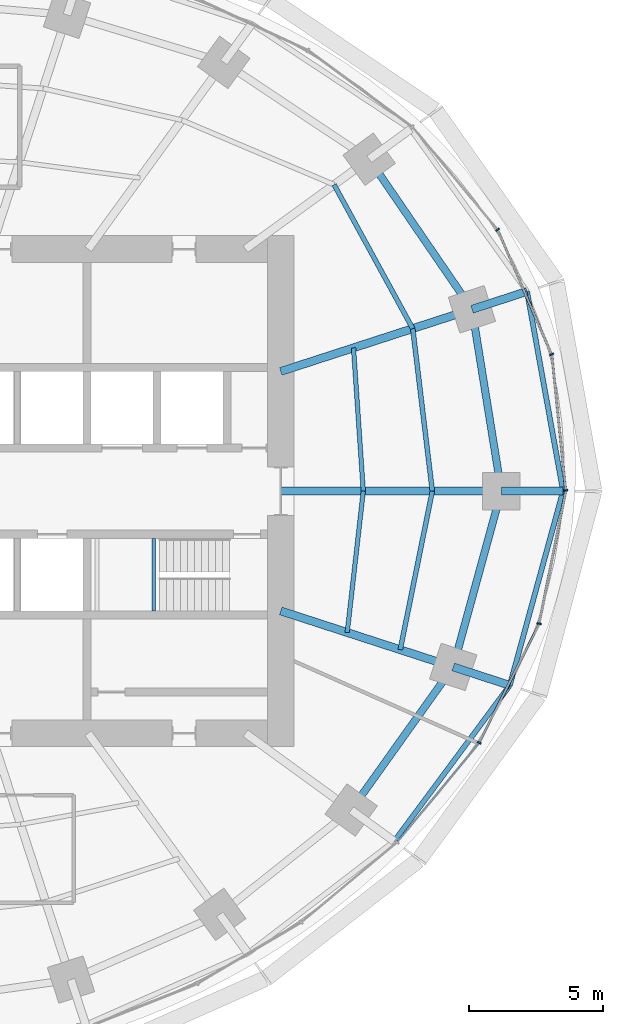
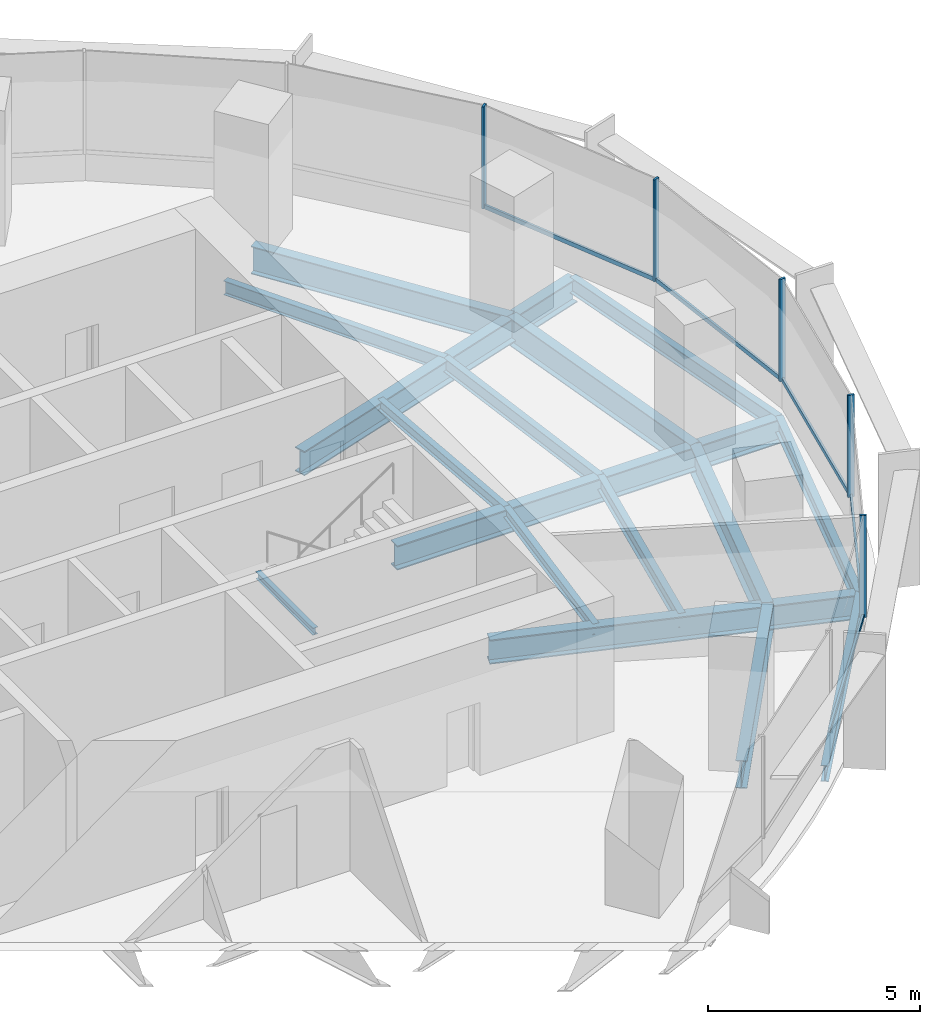
# One storey, part 6 of 14: 19 beams, 10 members, 2 elements without a shape of their own.
"""IFC4 building model written with IfcOpenShell, lengths in metres."""

from ifc_helpers import new_model, si_unit, direction, frame, origin, origin_2d, place, context, subcontext, project, spatial, rectangle, i_section, extrude, material, material_profile, profile_set, type_object, element, aggregate, save


model = new_model("IFC4")

# Units and contexts
model_context = context("Model", 3, precision=1e-05, world=origin(), true_north=direction((0.0, 1.0)))
body_context = subcontext(model_context, "Body", "Model", "MODEL_VIEW")
ifc_project = project(units=[si_unit("LENGTHUNIT", "METRE"), si_unit("AREAUNIT", "SQUARE_METRE"), si_unit("VOLUMEUNIT", "CUBIC_METRE"), si_unit("PLANEANGLEUNIT", "RADIAN"), si_unit("MASSUNIT", "GRAM", prefix="KILO")], contexts=[model_context])

# Site, building, storey
site_placement = place(None, origin())
site = spatial("IfcSite", under=ifc_project, at=site_placement, CompositionType="ELEMENT")
building_placement = place(site_placement, origin())
building = spatial("IfcBuilding", under=site, at=building_placement, Name="Marramba Exchange Tower", CompositionType="ELEMENT")
storey_placement = place(building_placement, frame((0.0, 0.0, 218.89990234375)))
storey = spatial("IfcBuildingStorey", under=building, at=storey_placement, Name="L53", CompositionType="ELEMENT", Elevation=218.89990234375)

# Beams
ifc_material_1 = material(Name="Steel AS/NZS 3679.2 grade 300", Category="steel")
ifc_material_profile_1 = material_profile(ifc_material_1, i_section(OverallWidth=0.300048828125, OverallDepth=0.699951171875, WebThickness=0.010009765625, FlangeThickness=0.031982421875, at=origin_2d()), Name="700WB173")
ifc_profile_set_1 = profile_set([ifc_material_profile_1], Name="Steel AS/NZS 3679.2 grade 300")
beam_type_1 = type_object("IfcBeamType", Name="Cantilever girder 700WB173", PredefinedType="BEAM", material=ifc_profile_set_1)
beam_1_placement = place(storey_placement, frame((21.89990234375, 0.0, -0.510009765625), z_axis=(1.0, 0.0, 0.0), x_axis=(0.0, 1.0, 0.0)))
element("IfcBeam", 1, at=beam_1_placement, inside=storey, type_object=beam_type_1, Name="Cantilever girder L53 TC01", PredefinedType="BEAM", context=body_context, shape_type="SweptSolid", body=[
    extrude(i_section(OverallWidth=0.300048828125, OverallDepth=0.699951171875, WebThickness=0.010009765625, FlangeThickness=0.031982421875, at=origin_2d()), origin(), (0.0, 0.0, 1.0), 2.294189453125),
])
beam_2_placement = place(storey_placement, frame((20.808349609375, 6.760986328125, -0.510009765625), z_axis=(0.951051587859, 0.309032162129, 0.0), x_axis=(-0.309032162129, 0.951051587859, 0.0)))
element("IfcBeam", 2, at=beam_2_placement, inside=storey, type_object=beam_type_1, Name="Cantilever girder L53 TC02", PredefinedType="BEAM", context=body_context, shape_type="SweptSolid", body=[
    extrude(i_section(OverallWidth=0.300048828125, OverallDepth=0.699951171875, WebThickness=0.010009765625, FlangeThickness=0.031982421875, at=origin_2d()), origin(), (0.0, 0.0, 1.0), 2.150390625),
])
beam_3_placement = place(storey_placement, frame((20.109375, -6.533935546875, -0.510009765625), z_axis=(0.951050283347, -0.309036176758, 0.0), x_axis=(0.309036176758, 0.951050283347, 0.0)))
element("IfcBeam", 3, at=beam_3_placement, inside=storey, type_object=beam_type_1, Name="Cantilever girder L53 TC20", PredefinedType="BEAM", context=body_context, shape_type="SweptSolid", body=[
    extrude(i_section(OverallWidth=0.300048828125, OverallDepth=0.699951171875, WebThickness=0.010009765625, FlangeThickness=0.031982421875, at=origin_2d()), origin(), (0.0, 0.0, 1.0), 2.212890625),
])
ifc_material_2 = material(Name="Steel AS/NZS 3679.1 grade 300", Category="steel")
ifc_material_profile_2 = material_profile(ifc_material_2, i_section(OverallWidth=0.166015625, OverallDepth=0.306884765625, WebThickness=0.006591796875, FlangeThickness=0.01171875, FilletRadius=0.011474609375, at=origin_2d()), Name="310UB46.2")
ifc_profile_set_2 = profile_set([ifc_material_profile_2], Name="Steel AS/NZS 3679.1 grade 300")
beam_type_2 = type_object("IfcBeamType", Name="Floor joist 310UB46.2", PredefinedType="JOIST", material=ifc_profile_set_2)
beam_4_placement = place(storey_placement, frame((16.7666015625, 0.0, -0.3134765625), z_axis=(-0.068096259546, 0.99767875563, 0.0), x_axis=(-0.99767875563, -0.068096259546, 0.0)))
element("IfcBeam", 4, at=beam_4_placement, inside=storey, type_object=beam_type_2, Name="Joist L53 bay 01 row 1", PredefinedType="JOIST", context=body_context, shape_type="SweptSolid", body=[
    extrude(i_section(OverallWidth=0.166015625, OverallDepth=0.306884765625, WebThickness=0.006591796875, FlangeThickness=0.01171875, FilletRadius=0.011474609375, at=origin_2d()), origin(), (0.0, 0.0, 1.0), 5.342041015625),
])
beam_5_placement = place(storey_placement, frame((16.169677734375, -5.25390625, -0.3134765625), z_axis=(0.112888968594, 0.993607609054, 0.0), x_axis=(-0.993607609054, 0.112888968594, 0.0)))
element("IfcBeam", 5, at=beam_5_placement, inside=storey, type_object=beam_type_2, Name="Joist L53 bay 20 row 1", PredefinedType="JOIST", context=body_context, shape_type="SweptSolid", body=[
    extrude(i_section(OverallWidth=0.166015625, OverallDepth=0.306884765625, WebThickness=0.006591796875, FlangeThickness=0.01171875, FilletRadius=0.011474609375, at=origin_2d()), origin(), (0.0, 0.0, 1.0), 5.28759765625),
])
ifc_material_profile_3 = material_profile(ifc_material_2, i_section(OverallWidth=0.177978515625, OverallDepth=0.406005859375, WebThickness=0.0078125, FlangeThickness=0.0126953125, FilletRadius=0.011474609375, at=origin_2d()), Name="410UB59.7")
ifc_profile_set_3 = profile_set([ifc_material_profile_3], Name="Steel AS/NZS 3679.1 grade 300")
beam_type_3 = type_object("IfcBeamType", Name="Floor joist 410UB59.7", PredefinedType="JOIST", material=ifc_profile_set_3)
beam_6_placement = place(storey_placement, frame((19.333251953125, 0.0, -0.36279296875), z_axis=(-0.119523078538, 0.992831422597, 0.0), x_axis=(-0.992831422597, -0.119523078538, 0.0)))
element("IfcBeam", 6, at=beam_6_placement, inside=storey, type_object=beam_type_3, Name="Joist L53 bay 01 row 2", PredefinedType="JOIST", context=body_context, shape_type="SweptSolid", body=[
    extrude(i_section(OverallWidth=0.177978515625, OverallDepth=0.406005859375, WebThickness=0.0078125, FlangeThickness=0.0126953125, FilletRadius=0.011474609375, at=origin_2d()), origin(), (0.0, 0.0, 1.0), 6.089111328125),
])
beam_7_placement = place(storey_placement, frame((18.60546875, 6.04541015625, -0.36279296875), z_axis=(-0.479584443791, 0.877495732909, 0.0), x_axis=(-0.877495732909, -0.479584443791, 0.0)))
element("IfcBeam", 7, at=beam_7_placement, inside=storey, type_object=beam_type_3, Name="Joist L53 bay 02 row 2", PredefinedType="JOIST", context=body_context, shape_type="SweptSolid", body=[
    extrude(i_section(OverallWidth=0.177978515625, OverallDepth=0.406005859375, WebThickness=0.0078125, FlangeThickness=0.0126953125, FilletRadius=0.011474609375, at=origin_2d()), origin(), (0.0, 0.0, 1.0), 6.094970703125),
])
beam_8_placement = place(storey_placement, frame((18.1396484375, -5.893798828125, -0.36279296875), z_axis=(0.198489047047, 0.980103105904, 0.0), x_axis=(-0.980103105904, 0.198489047047, 0.0)))
element("IfcBeam", 8, at=beam_8_placement, inside=storey, type_object=beam_type_3, Name="Joist L53 bay 20 row 2", PredefinedType="JOIST", context=body_context, shape_type="SweptSolid", body=[
    extrude(i_section(OverallWidth=0.177978515625, OverallDepth=0.406005859375, WebThickness=0.0078125, FlangeThickness=0.0126953125, FilletRadius=0.011474609375, at=origin_2d()), origin(), (0.0, 0.0, 1.0), 6.013427734375),
])

# Curtain wall, members
ifc_material_3 = material(Name="Aluminium framing, bronze anodised", Category="aluminium")
curtain_wall_type = type_object("IfcCurtainWallType", Name="Office ribbon curtain wall", PredefinedType="USERDEFINED", material=ifc_material_3)
curtain_wall_1_placement = place(storey_placement, origin())
curtain_wall_1 = element("IfcCurtainWall", 9, at=curtain_wall_1_placement, inside=storey, type_object=curtain_wall_type, Name="Curtain wall CW4 L53 F01-F05", ObjectType="RIBBON CURTAIN WALL", PredefinedType="USERDEFINED")
ifc_material_4 = material(Name="Aluminium mullion, bronze anodised", Category="aluminium")
ifc_material_profile_4 = material_profile(ifc_material_4, rectangle(XDim=0.159912109375, YDim=0.06005859375, at=origin_2d()), Name="CW4 mullion 60x160")
ifc_profile_set_4 = profile_set([ifc_material_profile_4], Name="Aluminium mullion, bronze anodised")
member_type_1 = type_object("IfcMemberType", Name="Office ribbon curtain wall mullion", PredefinedType="MULLION", material=ifc_profile_set_4)
member_1_placement = place(storey_placement, frame((24.291015625, 0.02978515625, 0.800048828125), z_axis=(0.0, 0.0, 1.0), x_axis=(-0.994843446001, -0.101422472607, 0.0)))
member_1 = element("IfcMember", 10, at=member_1_placement, type_object=member_type_1, Name="CW4 mullion 1", PredefinedType="MULLION", context=body_context, shape_type="SweptSolid", body=[
    extrude(rectangle(XDim=0.159912109375, YDim=0.06005859375, at=origin_2d()), origin(), (0.0, 0.0, 1.0), 2.93994140625),
])
member_2_placement = place(storey_placement, frame((23.766845703125, 5.081787109375, 0.800048828125), z_axis=(0.0, 0.0, 1.0), x_axis=(-0.918167104527, -0.396193346946, 0.0)))
member_2 = element("IfcMember", 11, at=member_2_placement, type_object=member_type_1, Name="CW4 mullion 1", PredefinedType="MULLION", context=body_context, shape_type="SweptSolid", body=[
    extrude(rectangle(XDim=0.159912109375, YDim=0.06005859375, at=origin_2d()), origin(), (0.0, 0.0, 1.0), 2.93994140625),
])
member_3_placement = place(storey_placement, frame((21.757080078125, 9.718505859375, 0.800048828125), z_axis=(0.0, 0.0, 1.0), x_axis=(-0.770574258342, -0.637350227411, 0.0)))
member_3 = element("IfcMember", 12, at=member_3_placement, type_object=member_type_1, Name="CW4 mullion 1", PredefinedType="MULLION", context=body_context, shape_type="SweptSolid", body=[
    extrude(rectangle(XDim=0.159912109375, YDim=0.06005859375, at=origin_2d()), origin(), (0.0, 0.0, 1.0), 2.93994140625),
])

curtain_wall_2_placement = place(storey_placement, origin())
curtain_wall_2 = element("IfcCurtainWall", 13, at=curtain_wall_2_placement, inside=storey, type_object=curtain_wall_type, Name="Curtain wall CW4 L53 F26-F30", ObjectType="RIBBON CURTAIN WALL", PredefinedType="USERDEFINED")
member_4_placement = place(storey_placement, frame((21.07568359375, -9.3505859375, 0.800048828125), z_axis=(0.0, 0.0, 1.0), x_axis=(-0.892689067591, 0.450673083956, 0.0)))
member_4 = element("IfcMember", 14, at=member_4_placement, type_object=member_type_1, Name="CW4 mullion 1", PredefinedType="MULLION", context=body_context, shape_type="SweptSolid", body=[
    extrude(rectangle(XDim=0.159912109375, YDim=0.06005859375, at=origin_2d()), origin(), (0.0, 0.0, 1.0), 2.93994140625),
])
member_5_placement = place(storey_placement, frame((23.30224609375, -4.92236328125, 0.800048828125), z_axis=(0.0, 0.0, 1.0), x_axis=(-0.980303812539, 0.197495405316, 0.0)))
member_5 = element("IfcMember", 15, at=member_5_placement, type_object=member_type_1, Name="CW4 mullion 1", PredefinedType="MULLION", context=body_context, shape_type="SweptSolid", body=[
    extrude(rectangle(XDim=0.159912109375, YDim=0.06005859375, at=origin_2d()), origin(), (0.0, 0.0, 1.0), 2.93994140625),
])

# Member
ifc_material_5 = material(Name="Aluminium transom, bronze anodised", Category="aluminium")
ifc_material_profile_5 = material_profile(ifc_material_5, rectangle(XDim=0.06005859375, YDim=0.1201171875, at=origin_2d()), Name="CW4 transom 60x120")
ifc_profile_set_5 = profile_set([ifc_material_profile_5], Name="Aluminium transom, bronze anodised")
member_type_2 = type_object("IfcMemberType", Name="Office ribbon curtain wall transom", PredefinedType="USERDEFINED", material=ifc_profile_set_5)
member_6_placement = place(storey_placement, frame((24.287841796875, 0.0595703125, 0.830078125), z_axis=(-0.101386007846, 0.994847162841, 0.0), x_axis=(-0.994847162841, -0.101386007846, 0.0)))
member_6 = element("IfcMember", 16, at=member_6_placement, type_object=member_type_2, Name="CW4 sill transom", ObjectType="TRANSOM", PredefinedType="USERDEFINED", context=body_context, shape_type="SweptSolid", body=[
    extrude(rectangle(XDim=0.06005859375, YDim=0.1201171875, at=origin_2d()), origin(), (0.0, 0.0, 1.0), 5.020751953125),
])

member_7_placement = place(storey_placement, frame((23.7548828125, 5.109375, 0.830078125), z_axis=(-0.396177573744, 0.918173910576, 0.0), x_axis=(-0.918173910576, -0.396177573744, 0.0)))
member_7 = element("IfcMember", 17, at=member_7_placement, type_object=member_type_2, Name="CW4 sill transom", ObjectType="TRANSOM", PredefinedType="USERDEFINED", context=body_context, shape_type="SweptSolid", body=[
    extrude(rectangle(XDim=0.06005859375, YDim=0.1201171875, at=origin_2d()), origin(), (0.0, 0.0, 1.0), 4.99462890625),
])

aggregate(curtain_wall_1, [member_1, member_6, member_2, member_7, member_3])

member_8_placement = place(storey_placement, frame((18.03515625, -13.029296875, 0.830078125), z_axis=(0.638146908901, 0.76991462037, 0.0), x_axis=(-0.76991462037, 0.638146908901, 0.0)))
member_8 = element("IfcMember", 18, at=member_8_placement, type_object=member_type_2, Name="CW4 sill transom", ObjectType="TRANSOM", PredefinedType="USERDEFINED", context=body_context, shape_type="SweptSolid", body=[
    extrude(rectangle(XDim=0.06005859375, YDim=0.1201171875, at=origin_2d()), origin(), (0.0, 0.0, 1.0), 4.7431640625),
])

member_9_placement = place(storey_placement, frame((21.089111328125, -9.323974609375, 0.830078125), z_axis=(0.450679681949, 0.892685736572, 0.0), x_axis=(-0.892685736572, 0.450679681949, 0.0)))
member_9 = element("IfcMember", 19, at=member_9_placement, type_object=member_type_2, Name="CW4 sill transom", ObjectType="TRANSOM", PredefinedType="USERDEFINED", context=body_context, shape_type="SweptSolid", body=[
    extrude(rectangle(XDim=0.06005859375, YDim=0.1201171875, at=origin_2d()), origin(), (0.0, 0.0, 1.0), 4.897705078125),
])

member_10_placement = place(storey_placement, frame((23.308349609375, -4.89306640625, 0.830078125), z_axis=(0.197461053167, 0.980310732616, 0.0), x_axis=(-0.980310732616, 0.197461053167, 0.0)))
member_10 = element("IfcMember", 20, at=member_10_placement, type_object=member_type_2, Name="CW4 sill transom", ObjectType="TRANSOM", PredefinedType="USERDEFINED", context=body_context, shape_type="SweptSolid", body=[
    extrude(rectangle(XDim=0.06005859375, YDim=0.1201171875, at=origin_2d()), origin(), (0.0, 0.0, 1.0), 4.991455078125),
])

aggregate(curtain_wall_2, [member_8, member_4, member_9, member_5, member_10])

# Beams
ifc_material_profile_6 = material_profile(ifc_material_1, i_section(OverallWidth=0.300048828125, OverallDepth=0.699951171875, WebThickness=0.010009765625, FlangeThickness=0.031982421875, at=origin_2d()), Name="700WB173")
ifc_profile_set_6 = profile_set([ifc_material_profile_6], Name="Steel AS/NZS 3679.2 grade 300")
beam_type_4 = type_object("IfcBeamType", Name="Radial girder 700WB173", PredefinedType="BEAM", material=ifc_profile_set_6)
beam_9_placement = place(storey_placement, frame((13.699951171875, 0.0, -0.510009765625), z_axis=(1.0, 0.0, 0.0), x_axis=(0.0, 1.0, 0.0)))
element("IfcBeam", 21, at=beam_9_placement, inside=storey, type_object=beam_type_4, Name="Radial girder L53 TC01", PredefinedType="BEAM", context=body_context, shape_type="SweptSolid", body=[
    extrude(i_section(OverallWidth=0.300048828125, OverallDepth=0.699951171875, WebThickness=0.010009765625, FlangeThickness=0.031982421875, at=origin_2d()), origin(), (0.0, 0.0, 1.0), 8.199951171875),
])
beam_10_placement = place(storey_placement, frame((13.699951171875, 4.451416015625, -0.510009765625), z_axis=(0.951059990189, 0.309006302624, 0.0), x_axis=(-0.309006302624, 0.951059990189, 0.0)))
element("IfcBeam", 22, at=beam_10_placement, inside=storey, type_object=beam_type_4, Name="Radial girder L53 TC02", PredefinedType="BEAM", context=body_context, shape_type="SweptSolid", body=[
    extrude(i_section(OverallWidth=0.300048828125, OverallDepth=0.699951171875, WebThickness=0.010009765625, FlangeThickness=0.031982421875, at=origin_2d()), origin(), (0.0, 0.0, 1.0), 7.47412109375),
])
beam_11_placement = place(storey_placement, frame((13.699951171875, -4.451416015625, -0.510009765625), z_axis=(0.951057759669, -0.309013167637, 0.0), x_axis=(0.309013167637, 0.951057759669, 0.0)))
element("IfcBeam", 23, at=beam_11_placement, inside=storey, type_object=beam_type_4, Name="Radial girder L53 TC20", PredefinedType="BEAM", context=body_context, shape_type="SweptSolid", body=[
    extrude(i_section(OverallWidth=0.300048828125, OverallDepth=0.699951171875, WebThickness=0.010009765625, FlangeThickness=0.031982421875, at=origin_2d()), origin(), (0.0, 0.0, 1.0), 6.7392578125),
])
ifc_material_profile_7 = material_profile(ifc_material_1, i_section(OverallWidth=0.27490234375, OverallDepth=0.800048828125, WebThickness=0.010009765625, FlangeThickness=0.02490234375, at=origin_2d()), Name="800WB168")
ifc_profile_set_7 = profile_set([ifc_material_profile_7], Name="Steel AS/NZS 3679.2 grade 300")
beam_type_5 = type_object("IfcBeamType", Name="Ring beam 800WB168", PredefinedType="SPANDREL", material=ifc_profile_set_7)
beam_12_placement = place(storey_placement, frame((21.89990234375, 0.0, -0.559814453125), z_axis=(-0.159384865399, 0.987216523708, 0.0), x_axis=(-0.987216523708, -0.159384865399, 0.0)))
element("IfcBeam", 24, at=beam_12_placement, inside=storey, type_object=beam_type_5, Name="Ring beam L53 TC01-TC02", PredefinedType="SPANDREL", context=body_context, shape_type="SweptSolid", body=[
    extrude(i_section(OverallWidth=0.27490234375, OverallDepth=0.800048828125, WebThickness=0.010009765625, FlangeThickness=0.02490234375, at=origin_2d()), origin(), (0.0, 0.0, 1.0), 6.8486328125),
])
beam_13_placement = place(storey_placement, frame((20.808349609375, 6.760986328125, -0.559814453125), z_axis=(-0.56516002054, 0.824981303535, 0.0), x_axis=(-0.824981303535, -0.56516002054, 0.0)))
element("IfcBeam", 25, at=beam_13_placement, inside=storey, type_object=beam_type_5, Name="Ring beam L53 TC02-TC03", PredefinedType="SPANDREL", context=body_context, shape_type="SweptSolid", body=[
    extrude(i_section(OverallWidth=0.27490234375, OverallDepth=0.800048828125, WebThickness=0.010009765625, FlangeThickness=0.02490234375, at=origin_2d()), origin(), (0.0, 0.0, 1.0), 6.763671875),
])
beam_14_placement = place(storey_placement, frame((16.3154296875, -11.853759765625, -0.559814453125), z_axis=(0.580637181111, 0.814162430914, 0.0), x_axis=(-0.814162430914, 0.580637181111, 0.0)))
element("IfcBeam", 26, at=beam_14_placement, inside=storey, type_object=beam_type_5, Name="Ring beam L53 TC19-TC20", PredefinedType="SPANDREL", context=body_context, shape_type="SweptSolid", body=[
    extrude(i_section(OverallWidth=0.27490234375, OverallDepth=0.800048828125, WebThickness=0.010009765625, FlangeThickness=0.02490234375, at=origin_2d()), origin(), (0.0, 0.0, 1.0), 6.5341796875),
])
beam_15_placement = place(storey_placement, frame((20.109375, -6.533935546875, -0.559814453125), z_axis=(0.264291166956, 0.964442937176, 0.0), x_axis=(-0.964442937176, 0.264291166956, 0.0)))
element("IfcBeam", 27, at=beam_15_placement, inside=storey, type_object=beam_type_5, Name="Ring beam L53 TC20-TC01", PredefinedType="SPANDREL", context=body_context, shape_type="SweptSolid", body=[
    extrude(i_section(OverallWidth=0.27490234375, OverallDepth=0.800048828125, WebThickness=0.010009765625, FlangeThickness=0.02490234375, at=origin_2d()), origin(), (0.0, 0.0, 1.0), 6.77490234375),
])
ifc_material_profile_8 = material_profile(ifc_material_2, i_section(OverallWidth=0.19091796875, OverallDepth=0.4599609375, WebThickness=0.010009765625, FlangeThickness=0.01611328125, FilletRadius=0.011474609375, at=origin_2d()), Name="460UB82.1")
ifc_profile_set_8 = profile_set([ifc_material_profile_8], Name="Steel AS/NZS 3679.1 grade 300")
beam_type_6 = type_object("IfcBeamType", Name="Slab edge beam 460UB82.1", PredefinedType="SPANDREL", material=ifc_profile_set_8)
beam_16_placement = place(storey_placement, frame((24.194091796875, 0.0, -0.389892578125), z_axis=(-0.177663817107, 0.984091239719, 0.0), x_axis=(-0.984091239719, -0.177663817107, 0.0)))
element("IfcBeam", 28, at=beam_16_placement, inside=storey, type_object=beam_type_6, Name="Slab edge beam L53 TC01-TC02", PredefinedType="SPANDREL", context=body_context, shape_type="SweptSolid", body=[
    extrude(i_section(OverallWidth=0.19091796875, OverallDepth=0.4599609375, WebThickness=0.010009765625, FlangeThickness=0.01611328125, FilletRadius=0.011474609375, at=origin_2d()), origin(), (0.0, 0.0, 1.0), 7.545654296875),
])
beam_17_placement = place(storey_placement, frame((17.916015625, -13.016845703125, -0.389892578125), z_axis=(0.595428136035, 0.803408572781, 0.0), x_axis=(-0.803408572781, 0.595428136035, 0.0)))
element("IfcBeam", 29, at=beam_17_placement, inside=storey, type_object=beam_type_6, Name="Slab edge beam L53 TC19-TC20", PredefinedType="SPANDREL", context=body_context, shape_type="SweptSolid", body=[
    extrude(i_section(OverallWidth=0.19091796875, OverallDepth=0.4599609375, WebThickness=0.010009765625, FlangeThickness=0.01611328125, FilletRadius=0.011474609375, at=origin_2d()), origin(), (0.0, 0.0, 1.0), 7.218017578125),
])
beam_18_placement = place(storey_placement, frame((22.2138671875, -7.2177734375, -0.389892578125), z_axis=(0.264577205901, 0.964364506874, 0.0), x_axis=(-0.964364506874, 0.264577205901, 0.0)))
element("IfcBeam", 30, at=beam_18_placement, inside=storey, type_object=beam_type_6, Name="Slab edge beam L53 TC20-TC01", PredefinedType="SPANDREL", context=body_context, shape_type="SweptSolid", body=[
    extrude(i_section(OverallWidth=0.19091796875, OverallDepth=0.4599609375, WebThickness=0.010009765625, FlangeThickness=0.01611328125, FilletRadius=0.011474609375, at=origin_2d()), origin(), (0.0, 0.0, 1.0), 7.484375),
])
ifc_material_profile_9 = material_profile(ifc_material_2, i_section(OverallWidth=0.133056640625, OverallDepth=0.202880859375, WebThickness=0.005859375, FlangeThickness=0.0078125, FilletRadius=0.0087890625, at=origin_2d()), Name="200UB25.4")
ifc_profile_set_9 = profile_set([ifc_material_profile_9], Name="Steel AS/NZS 3679.1 grade 300")
beam_type_7 = type_object("IfcBeamType", Name="Stair landing beam 200UB25.4", PredefinedType="BEAM", material=ifc_profile_set_9)
beam_19_placement = place(storey_placement, frame((8.9833984375, -4.449951171875, 1.648681640625), z_axis=(0.0, 1.0, 0.0), x_axis=(-1.0, 0.0, 0.0)))
element("IfcBeam", 31, at=beam_19_placement, inside=storey, type_object=beam_type_7, Name="Stair landing beam SLB1 ST2 L53 2", PredefinedType="BEAM", context=body_context, shape_type="SweptSolid", body=[
    extrude(i_section(OverallWidth=0.133056640625, OverallDepth=0.202880859375, WebThickness=0.005859375, FlangeThickness=0.0078125, FilletRadius=0.0087890625, at=origin_2d()), origin(), (0.0, 0.0, 1.0), 2.699951171875),
])

save(model, "model.ifc")
